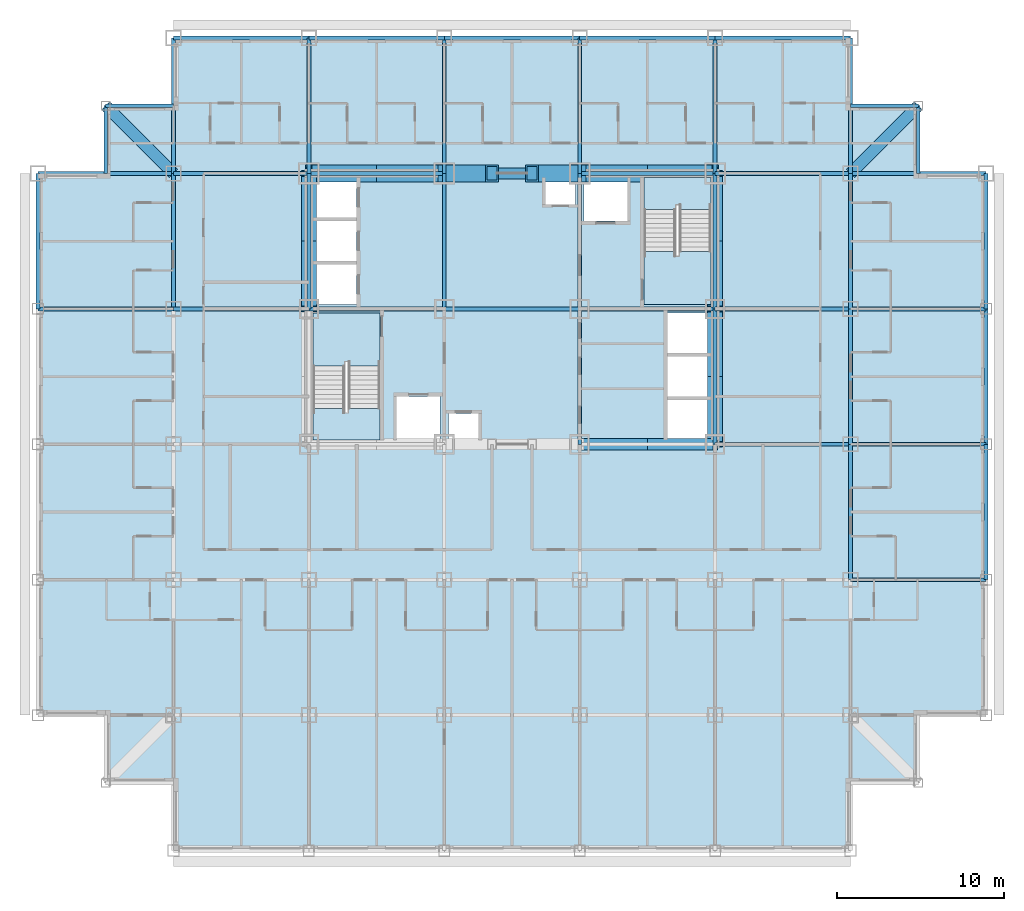
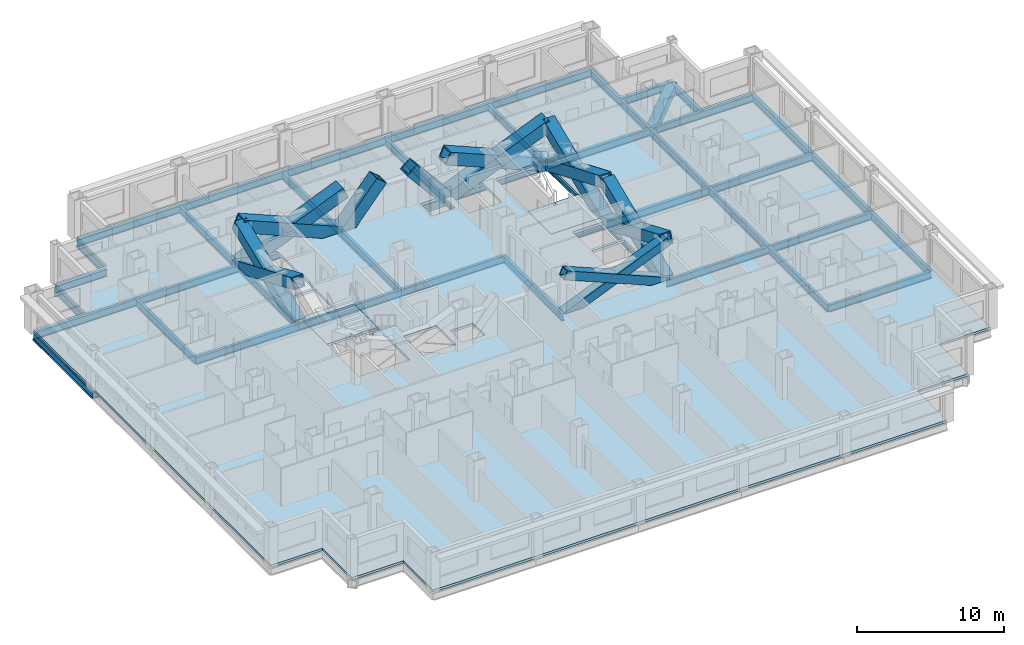
# One storey, part 2 of 12: 48 beams, 14 members, 5 slabs, 2 elements without a shape of their own.
"""IFC4 building model written with IfcOpenShell, lengths in metres."""

from ifc_helpers import new_model, si_unit, direction, frame, origin, origin_2d, place, context, subcontext, project, spatial, polyline, hollow_rectangle, i_section, outline, extrude, material, layer, layer_set, material_profile, profile_set, type_object, element, aggregate, save


model = new_model("IFC4")

# Units and contexts
model_context = context("Model", 3, precision=1e-05, world=origin(), true_north=direction((0.0, 1.0)))
body_context = subcontext(model_context, "Body", "Model", "MODEL_VIEW")
ifc_project = project(units=[si_unit("LENGTHUNIT", "METRE"), si_unit("AREAUNIT", "SQUARE_METRE"), si_unit("VOLUMEUNIT", "CUBIC_METRE"), si_unit("PLANEANGLEUNIT", "RADIAN"), si_unit("MASSUNIT", "GRAM", prefix="KILO")], contexts=[model_context])

# Site, building, storey
site_placement = place(None, origin())
site = spatial("IfcSite", under=ifc_project, at=site_placement, CompositionType="ELEMENT")
building_placement = place(site_placement, origin())
building = spatial("IfcBuilding", under=site, at=building_placement, Name="Kopane Lantern Tower", CompositionType="ELEMENT")
storey_placement = place(building_placement, frame((0.0, 0.0, 43.199951171875)))
storey = spatial("IfcBuildingStorey", under=building, at=storey_placement, Name="L09", CompositionType="ELEMENT", Elevation=43.199951171875)

# Members
ifc_material_1 = material(Name="Steel S355JR", Category="steel")
ifc_material_profile_1 = material_profile(ifc_material_1, hollow_rectangle(XDim=1.0, YDim=1.0, WallThickness=0.10009765625, at=origin_2d()), Name="BOX 1000x1000x100")
ifc_profile_set_1 = profile_set([ifc_material_profile_1], Name="Steel S355JR")
member_type_1 = type_object("IfcMemberType", Name="BRACE BOX 1000x1000x100", PredefinedType="BRACE", material=ifc_profile_set_1)
for number, where, z_axis, x_axis, name in (
    (1, (16.199951171875, 40.5, -0.2099609375), (0.922069000757, 0.0, 0.387025526088), (0.0, 1.0, 0.0), "Core brace L09"),
    (2, (24.300048828125, 40.5, -0.2099609375), (-0.922069000757, 0.0, 0.387025526088), (0.0, -1.0, 0.0), "Core brace L09"),
):
    element("IfcMember", number, at=place(storey_placement, frame(where, z_axis=z_axis, x_axis=x_axis)), inside=storey, type_object=member_type_1, Name=name, PredefinedType="BRACE", context=body_context, shape_type="SweptSolid", body=[
        extrude(hollow_rectangle(XDim=1.0, YDim=1.0, WallThickness=0.10009765625, at=origin_2d()), origin(), (0.0, 0.0, 1.0), 8.78466796875),
    ])
for number, where, z_axis, x_axis, name in (
    (3, (24.300048828125, 40.5, -0.2099609375), (0.642390257445, 0.0, 0.7663776857), (0.0, 1.0, 0.0), "Core brace L09"),
    (4, (32.39990234375, 40.5, -0.2099609375), (-0.642390257445, 0.0, 0.7663776857), (0.0, -1.0, 0.0), "Core brace L09"),
):
    element("IfcMember", number, at=place(storey_placement, frame(where, z_axis=z_axis, x_axis=x_axis)), inside=storey, type_object=member_type_1, Name=name, PredefinedType="BRACE", context=body_context, shape_type="SweptSolid", body=[
        extrude(hollow_rectangle(XDim=1.0, YDim=1.0, WallThickness=0.10009765625, at=origin_2d()), origin(), (0.0, 0.0, 1.0), 4.436279296875),
    ])
for number, where, z_axis, x_axis, name in (
    (5, (32.39990234375, 40.5, -0.2099609375), (0.922069000757, 0.0, 0.387025526088), (0.0, 1.0, 0.0), "Core brace L09"),
    (6, (40.5, 40.5, -0.2099609375), (-0.922069000757, 0.0, 0.387025526088), (0.0, -1.0, 0.0), "Core brace L09"),
):
    element("IfcMember", number, at=place(storey_placement, frame(where, z_axis=z_axis, x_axis=x_axis)), inside=storey, type_object=member_type_1, Name=name, PredefinedType="BRACE", context=body_context, shape_type="SweptSolid", body=[
        extrude(hollow_rectangle(XDim=1.0, YDim=1.0, WallThickness=0.10009765625, at=origin_2d()), origin(), (0.0, 0.0, 1.0), 8.78466796875),
    ])
ifc_material_2 = material(Name="Steel S355JR", Category="steel")
ifc_material_profile_2 = material_profile(ifc_material_2, hollow_rectangle(XDim=0.699951171875, YDim=0.699951171875, WallThickness=0.06005859375, at=origin_2d()), Name="BOX 700x700x60")
ifc_profile_set_2 = profile_set([ifc_material_profile_2], Name="Steel S355JR")
member_type_2 = type_object("IfcMemberType", Name="BRACE BOX 700x700x60", PredefinedType="BRACE", material=ifc_profile_set_2)
for number, where, z_axis, x_axis, name in (
    (7, (32.39990234375, 24.300048828125, -0.2099609375), (0.922069000757, 0.0, 0.387025526088), (0.0, 1.0, 0.0), "Core brace L09"),
    (8, (40.5, 24.300048828125, -0.2099609375), (-0.922069000757, 0.0, 0.387025526088), (0.0, -1.0, 0.0), "Core brace L09"),
):
    element("IfcMember", number, at=place(storey_placement, frame(where, z_axis=z_axis, x_axis=x_axis)), inside=storey, type_object=member_type_2, Name=name, PredefinedType="BRACE", context=body_context, shape_type="SweptSolid", body=[
        extrude(hollow_rectangle(XDim=0.699951171875, YDim=0.699951171875, WallThickness=0.06005859375, at=origin_2d()), origin(), (0.0, 0.0, 1.0), 8.78466796875),
    ])
ifc_material_3 = material(Name="Steel S355JR", Category="steel")
ifc_material_profile_3 = material_profile(ifc_material_3, hollow_rectangle(XDim=0.89990234375, YDim=0.89990234375, WallThickness=0.090087890625, at=origin_2d()), Name="BOX 900x900x90")
ifc_profile_set_3 = profile_set([ifc_material_profile_3], Name="Steel S355JR")
member_type_3 = type_object("IfcMemberType", Name="BRACE BOX 900x900x90", PredefinedType="BRACE", material=ifc_profile_set_3)
for number, where, z_axis, x_axis, name in (
    (9, (16.199951171875, 32.39990234375, -0.2099609375), (0.0, 0.922069000757, 0.387025526088), (-1.0, 0.0, 0.0), "Core brace L09"),
    (10, (16.199951171875, 40.5, -0.2099609375), (0.0, -0.922069000757, 0.387025526088), (1.0, 0.0, 0.0), "Core brace L09"),
):
    element("IfcMember", number, at=place(storey_placement, frame(where, z_axis=z_axis, x_axis=x_axis)), inside=storey, type_object=member_type_3, Name=name, PredefinedType="BRACE", context=body_context, shape_type="SweptSolid", body=[
        extrude(hollow_rectangle(XDim=0.89990234375, YDim=0.89990234375, WallThickness=0.090087890625, at=origin_2d()), origin(), (0.0, 0.0, 1.0), 8.78466796875),
    ])
for number, where, z_axis, x_axis, name in (
    (11, (40.5, 24.300048828125, -0.2099609375), (0.0, 0.922064837731, 0.38703544414), (-1.0, 0.0, 0.0), "Core brace L09"),
    (12, (40.5, 32.39990234375, -0.2099609375), (0.0, -0.922064837731, 0.38703544414), (1.0, 0.0, 0.0), "Core brace L09"),
):
    element("IfcMember", number, at=place(storey_placement, frame(where, z_axis=z_axis, x_axis=x_axis)), inside=storey, type_object=member_type_3, Name=name, PredefinedType="BRACE", context=body_context, shape_type="SweptSolid", body=[
        extrude(hollow_rectangle(XDim=0.89990234375, YDim=0.89990234375, WallThickness=0.090087890625, at=origin_2d()), origin(), (0.0, 0.0, 1.0), 8.784423828125),
    ])
for number, where, z_axis, x_axis, name in (
    (13, (40.5, 32.39990234375, -0.2099609375), (0.0, 0.922069000757, 0.387025526088), (-1.0, 0.0, 0.0), "Core brace L09"),
    (14, (40.5, 40.5, -0.2099609375), (0.0, -0.922069000757, 0.387025526088), (1.0, 0.0, 0.0), "Core brace L09"),
):
    element("IfcMember", number, at=place(storey_placement, frame(where, z_axis=z_axis, x_axis=x_axis)), inside=storey, type_object=member_type_3, Name=name, PredefinedType="BRACE", context=body_context, shape_type="SweptSolid", body=[
        extrude(hollow_rectangle(XDim=0.89990234375, YDim=0.89990234375, WallThickness=0.090087890625, at=origin_2d()), origin(), (0.0, 0.0, 1.0), 8.78466796875),
    ])

# Beams
ifc_material_4 = material(Name="Steel S355JR", Category="steel")
ifc_material_profile_4 = material_profile(ifc_material_4, i_section(OverallWidth=0.22900390625, OverallDepth=0.6123046875, WebThickness=0.011962890625, FlangeThickness=0.01953125, FilletRadius=0.0126953125, at=origin_2d()), Name="UB 610x229x125")
ifc_profile_set_4 = profile_set([ifc_material_profile_4], Name="Steel S355JR")
beam_type_1 = type_object("IfcBeamType", Name="CORE BEAM UB 610x229x125", PredefinedType="BEAM", material=ifc_profile_set_4)
for number, where, z_axis, x_axis, name in (
    (15, (16.199951171875, 32.39990234375, -0.51611328125), (1.0, 0.0, 0.0), (0.0, 1.0, 0.0), "Core Beam L09"),
    (16, (24.300048828125, 32.39990234375, -0.51611328125), (0.0, 1.0, 0.0), (-1.0, 0.0, 0.0), "Core Beam L09"),
):
    element("IfcBeam", number, at=place(storey_placement, frame(where, z_axis=z_axis, x_axis=x_axis)), inside=storey, type_object=beam_type_1, Name=name, PredefinedType="BEAM", context=body_context, shape_type="SweptSolid", body=[
        extrude(i_section(OverallWidth=0.22900390625, OverallDepth=0.6123046875, WebThickness=0.011962890625, FlangeThickness=0.01953125, FilletRadius=0.0126953125, at=origin_2d()), origin(), (0.0, 0.0, 1.0), 8.10009765625),
    ])
for number, where, z_axis, x_axis, name in (
    (17, (24.300048828125, 32.39990234375, -0.51611328125), (1.0, 0.0, 0.0), (0.0, 1.0, 0.0), "Core Beam L09"),
    (18, (32.39990234375, 24.300048828125, -0.51611328125), (0.0, 1.0, 0.0), (-1.0, 0.0, 0.0), "Core Beam L09"),
):
    element("IfcBeam", number, at=place(storey_placement, frame(where, z_axis=z_axis, x_axis=x_axis)), inside=storey, type_object=beam_type_1, Name=name, PredefinedType="BEAM", context=body_context, shape_type="SweptSolid", body=[
        extrude(i_section(OverallWidth=0.22900390625, OverallDepth=0.6123046875, WebThickness=0.011962890625, FlangeThickness=0.01953125, FilletRadius=0.0126953125, at=origin_2d()), origin(), (0.0, 0.0, 1.0), 8.099853515625),
    ])
for number, where, z_axis, x_axis, name in (
    (19, (32.39990234375, 32.39990234375, -0.51611328125), (0.0, 1.0, 0.0), (-1.0, 0.0, 0.0), "Core Beam L09"),
    (20, (32.39990234375, 32.39990234375, -0.51611328125), (1.0, 0.0, 0.0), (0.0, 1.0, 0.0), "Core Beam L09"),
):
    element("IfcBeam", number, at=place(storey_placement, frame(where, z_axis=z_axis, x_axis=x_axis)), inside=storey, type_object=beam_type_1, Name=name, PredefinedType="BEAM", context=body_context, shape_type="SweptSolid", body=[
        extrude(i_section(OverallWidth=0.22900390625, OverallDepth=0.6123046875, WebThickness=0.011962890625, FlangeThickness=0.01953125, FilletRadius=0.0126953125, at=origin_2d()), origin(), (0.0, 0.0, 1.0), 8.10009765625),
    ])
ifc_material_5 = material(Name="Steel S355JR", Category="steel")
ifc_material_profile_5 = material_profile(ifc_material_5, hollow_rectangle(XDim=0.699951171875, YDim=0.699951171875, WallThickness=0.06005859375, at=origin_2d()), Name="BOX 700x700x60")
ifc_profile_set_5 = profile_set([ifc_material_profile_5], Name="Steel S355JR")
beam_type_2 = type_object("IfcBeamType", Name="CORNER TIE BEAM BOX 700x700x60", PredefinedType="BEAM", material=ifc_profile_set_5)
for number, where, z_axis, x_axis, name in (
    (21, (4.050048828125, 44.550048828125, -0.56005859375), (0.707106781187, -0.707106781187, 0.0), (0.707106781187, 0.707106781187, 0.0), "Corner Tie Beam L09"),
    (22, (52.64990234375, 44.550048828125, -0.56005859375), (-0.707085467703, -0.707128094028, 0.0), (0.707128094028, -0.707085467703, 0.0), "Corner Tie Beam L09"),
):
    element("IfcBeam", number, at=place(storey_placement, frame(where, z_axis=z_axis, x_axis=x_axis)), inside=storey, type_object=beam_type_2, Name=name, PredefinedType="BEAM", context=body_context, shape_type="SweptSolid", body=[
        extrude(hollow_rectangle(XDim=0.699951171875, YDim=0.699951171875, WallThickness=0.06005859375, at=origin_2d()), origin(), (0.0, 0.0, 1.0), 5.7275390625),
    ])
ifc_material_6 = material(Name="Steel S355JR", Category="steel")
ifc_material_profile_6 = material_profile(ifc_material_6, i_section(OverallWidth=0.22900390625, OverallDepth=0.6123046875, WebThickness=0.011962890625, FlangeThickness=0.01953125, FilletRadius=0.0126953125, at=origin_2d()), Name="UB 610x229x125")
ifc_profile_set_6 = profile_set([ifc_material_profile_6], Name="Steel S355JR")
beam_type_3 = type_object("IfcBeamType", Name="EDGE BEAM UB 610x229x125", PredefinedType="BEAM", material=ifc_profile_set_6)
for number, where, z_axis, x_axis, name in (
    (23, (4.050048828125, 44.550048828125, -0.51611328125), (0.0, -1.0, 0.0), (1.0, 0.0, 0.0), "Edge Beam L09"),
    (24, (4.050048828125, 44.550048828125, -0.51611328125), (1.0, 0.0, 0.0), (0.0, 1.0, 0.0), "Edge Beam L09"),
):
    element("IfcBeam", number, at=place(storey_placement, frame(where, z_axis=z_axis, x_axis=x_axis)), inside=storey, type_object=beam_type_3, Name=name, PredefinedType="BEAM", context=body_context, shape_type="SweptSolid", body=[
        extrude(i_section(OverallWidth=0.22900390625, OverallDepth=0.6123046875, WebThickness=0.011962890625, FlangeThickness=0.01953125, FilletRadius=0.0126953125, at=origin_2d()), origin(), (0.0, 0.0, 1.0), 4.050048828125),
    ])
beam_1_placement = place(storey_placement, frame((52.64990234375, 44.550048828125, -0.51611328125), z_axis=(-1.0, 0.0, 0.0), x_axis=(0.0, -1.0, 0.0)))
element("IfcBeam", 25, at=beam_1_placement, inside=storey, type_object=beam_type_3, Name="Edge Beam L09", PredefinedType="BEAM", context=body_context, shape_type="SweptSolid", body=[
    extrude(i_section(OverallWidth=0.22900390625, OverallDepth=0.6123046875, WebThickness=0.011962890625, FlangeThickness=0.01953125, FilletRadius=0.0126953125, at=origin_2d()), origin(), (0.0, 0.0, 1.0), 4.0498046875),
])
beam_2_placement = place(storey_placement, frame((52.64990234375, 44.550048828125, -0.51611328125), z_axis=(0.0, -1.0, 0.0), x_axis=(1.0, 0.0, 0.0)))
element("IfcBeam", 26, at=beam_2_placement, inside=storey, type_object=beam_type_3, Name="Edge Beam L09", PredefinedType="BEAM", context=body_context, shape_type="SweptSolid", body=[
    extrude(i_section(OverallWidth=0.22900390625, OverallDepth=0.6123046875, WebThickness=0.011962890625, FlangeThickness=0.01953125, FilletRadius=0.0126953125, at=origin_2d()), origin(), (0.0, 0.0, 1.0), 4.050048828125),
])
ifc_material_7 = material(Name="Steel S355JR", Category="steel")
ifc_material_profile_7 = material_profile(ifc_material_7, i_section(OverallWidth=0.22900390625, OverallDepth=0.6123046875, WebThickness=0.011962890625, FlangeThickness=0.01953125, FilletRadius=0.0126953125, at=origin_2d()), Name="UB 610x229x125")
ifc_profile_set_7 = profile_set([ifc_material_profile_7], Name="Steel S355JR")
beam_type_4 = type_object("IfcBeamType", Name="GIRDER UB 610x229x125", PredefinedType="BEAM", material=ifc_profile_set_7)
for number, where, z_axis, x_axis, name in (
    (27, (0.0, 32.39990234375, -0.51611328125), (0.0, 1.0, 0.0), (-1.0, 0.0, 0.0), "Girder L09"),
    (28, (0.0, 32.39990234375, -0.51611328125), (1.0, 0.0, 0.0), (0.0, 1.0, 0.0), "Girder L09"),
    (29, (0.0, 40.5, -0.51611328125), (1.0, 0.0, 0.0), (0.0, 1.0, 0.0), "Girder L09"),
    (30, (8.10009765625, 32.39990234375, -0.51611328125), (0.0, 1.0, 0.0), (-1.0, 0.0, 0.0), "Girder L09"),
):
    element("IfcBeam", number, at=place(storey_placement, frame(where, z_axis=z_axis, x_axis=x_axis)), inside=storey, type_object=beam_type_4, Name=name, PredefinedType="BEAM", context=body_context, shape_type="SweptSolid", body=[
        extrude(i_section(OverallWidth=0.22900390625, OverallDepth=0.6123046875, WebThickness=0.011962890625, FlangeThickness=0.01953125, FilletRadius=0.0126953125, at=origin_2d()), origin(), (0.0, 0.0, 1.0), 8.10009765625),
    ])
beam_3_placement = place(storey_placement, frame((8.10009765625, 32.39990234375, -0.51611328125), z_axis=(1.0, 0.0, 0.0), x_axis=(0.0, 1.0, 0.0)))
element("IfcBeam", 31, at=beam_3_placement, inside=storey, type_object=beam_type_4, Name="Girder L09", PredefinedType="BEAM", context=body_context, shape_type="SweptSolid", body=[
    extrude(i_section(OverallWidth=0.22900390625, OverallDepth=0.6123046875, WebThickness=0.011962890625, FlangeThickness=0.01953125, FilletRadius=0.0126953125, at=origin_2d()), origin(), (0.0, 0.0, 1.0), 8.099853515625),
])
beam_4_placement = place(storey_placement, frame((8.10009765625, 40.5, -0.51611328125), z_axis=(0.0, 1.0, 0.0), x_axis=(-1.0, 0.0, 0.0)))
element("IfcBeam", 32, at=beam_4_placement, inside=storey, type_object=beam_type_4, Name="Girder L09", PredefinedType="BEAM", context=body_context, shape_type="SweptSolid", body=[
    extrude(i_section(OverallWidth=0.22900390625, OverallDepth=0.6123046875, WebThickness=0.011962890625, FlangeThickness=0.01953125, FilletRadius=0.0126953125, at=origin_2d()), origin(), (0.0, 0.0, 1.0), 8.10009765625),
])
for number, where, z_axis, x_axis, name in (
    (33, (8.10009765625, 40.5, -0.51611328125), (1.0, 0.0, 0.0), (0.0, 1.0, 0.0), "Girder L09"),
    (34, (8.10009765625, 48.60009765625, -0.51611328125), (1.0, 0.0, 0.0), (0.0, 1.0, 0.0), "Girder L09"),
):
    element("IfcBeam", number, at=place(storey_placement, frame(where, z_axis=z_axis, x_axis=x_axis)), inside=storey, type_object=beam_type_4, Name=name, PredefinedType="BEAM", context=body_context, shape_type="SweptSolid", body=[
        extrude(i_section(OverallWidth=0.22900390625, OverallDepth=0.6123046875, WebThickness=0.011962890625, FlangeThickness=0.01953125, FilletRadius=0.0126953125, at=origin_2d()), origin(), (0.0, 0.0, 1.0), 8.099853515625),
    ])
for number, where, z_axis, x_axis, name in (
    (35, (16.199951171875, 32.39990234375, -0.51611328125), (0.0, 1.0, 0.0), (-1.0, 0.0, 0.0), "Girder L09"),
    (36, (16.199951171875, 40.5, -0.51611328125), (0.0, 1.0, 0.0), (-1.0, 0.0, 0.0), "Girder L09"),
    (37, (16.199951171875, 40.5, -0.51611328125), (1.0, 0.0, 0.0), (0.0, 1.0, 0.0), "Girder L09"),
    (38, (16.199951171875, 48.60009765625, -0.51611328125), (1.0, 0.0, 0.0), (0.0, 1.0, 0.0), "Girder L09"),
    (39, (24.300048828125, 40.5, -0.51611328125), (0.0, 1.0, 0.0), (-1.0, 0.0, 0.0), "Girder L09"),
):
    element("IfcBeam", number, at=place(storey_placement, frame(where, z_axis=z_axis, x_axis=x_axis)), inside=storey, type_object=beam_type_4, Name=name, PredefinedType="BEAM", context=body_context, shape_type="SweptSolid", body=[
        extrude(i_section(OverallWidth=0.22900390625, OverallDepth=0.6123046875, WebThickness=0.011962890625, FlangeThickness=0.01953125, FilletRadius=0.0126953125, at=origin_2d()), origin(), (0.0, 0.0, 1.0), 8.10009765625),
    ])
beam_5_placement = place(storey_placement, frame((24.300048828125, 48.60009765625, -0.51611328125), z_axis=(1.0, 0.0, 0.0), x_axis=(0.0, 1.0, 0.0)))
element("IfcBeam", 40, at=beam_5_placement, inside=storey, type_object=beam_type_4, Name="Girder L09", PredefinedType="BEAM", context=body_context, shape_type="SweptSolid", body=[
    extrude(i_section(OverallWidth=0.22900390625, OverallDepth=0.6123046875, WebThickness=0.011962890625, FlangeThickness=0.01953125, FilletRadius=0.0126953125, at=origin_2d()), origin(), (0.0, 0.0, 1.0), 8.099853515625),
])
for number, where, z_axis, x_axis, name in (
    (41, (32.39990234375, 40.5, -0.51611328125), (0.0, 1.0, 0.0), (-1.0, 0.0, 0.0), "Girder L09"),
    (42, (32.39990234375, 40.5, -0.51611328125), (1.0, 0.0, 0.0), (0.0, 1.0, 0.0), "Girder L09"),
    (43, (32.39990234375, 48.60009765625, -0.51611328125), (1.0, 0.0, 0.0), (0.0, 1.0, 0.0), "Girder L09"),
):
    element("IfcBeam", number, at=place(storey_placement, frame(where, z_axis=z_axis, x_axis=x_axis)), inside=storey, type_object=beam_type_4, Name=name, PredefinedType="BEAM", context=body_context, shape_type="SweptSolid", body=[
        extrude(i_section(OverallWidth=0.22900390625, OverallDepth=0.6123046875, WebThickness=0.011962890625, FlangeThickness=0.01953125, FilletRadius=0.0126953125, at=origin_2d()), origin(), (0.0, 0.0, 1.0), 8.10009765625),
    ])
beam_6_placement = place(storey_placement, frame((40.5, 24.300048828125, -0.51611328125), z_axis=(0.0, 1.0, 0.0), x_axis=(-1.0, 0.0, 0.0)))
element("IfcBeam", 44, at=beam_6_placement, inside=storey, type_object=beam_type_4, Name="Girder L09", PredefinedType="BEAM", context=body_context, shape_type="SweptSolid", body=[
    extrude(i_section(OverallWidth=0.22900390625, OverallDepth=0.6123046875, WebThickness=0.011962890625, FlangeThickness=0.01953125, FilletRadius=0.0126953125, at=origin_2d()), origin(), (0.0, 0.0, 1.0), 8.099853515625),
])
for number, where, z_axis, x_axis, name in (
    (45, (40.5, 24.300048828125, -0.51611328125), (1.0, 0.0, 0.0), (0.0, 1.0, 0.0), "Girder L09"),
    (46, (40.5, 32.39990234375, -0.51611328125), (0.0, 1.0, 0.0), (-1.0, 0.0, 0.0), "Girder L09"),
    (47, (40.5, 32.39990234375, -0.51611328125), (1.0, 0.0, 0.0), (0.0, 1.0, 0.0), "Girder L09"),
    (48, (40.5, 40.5, -0.51611328125), (0.0, 1.0, 0.0), (-1.0, 0.0, 0.0), "Girder L09"),
    (49, (40.5, 40.5, -0.51611328125), (1.0, 0.0, 0.0), (0.0, 1.0, 0.0), "Girder L09"),
    (50, (40.5, 48.60009765625, -0.51611328125), (1.0, 0.0, 0.0), (0.0, 1.0, 0.0), "Girder L09"),
    (51, (48.60009765625, 16.199951171875, -0.51611328125), (0.0, 1.0, 0.0), (-1.0, 0.0, 0.0), "Girder L09"),
):
    element("IfcBeam", number, at=place(storey_placement, frame(where, z_axis=z_axis, x_axis=x_axis)), inside=storey, type_object=beam_type_4, Name=name, PredefinedType="BEAM", context=body_context, shape_type="SweptSolid", body=[
        extrude(i_section(OverallWidth=0.22900390625, OverallDepth=0.6123046875, WebThickness=0.011962890625, FlangeThickness=0.01953125, FilletRadius=0.0126953125, at=origin_2d()), origin(), (0.0, 0.0, 1.0), 8.10009765625),
    ])
for number, where, z_axis, x_axis, name in (
    (52, (48.60009765625, 16.199951171875, -0.51611328125), (1.0, 0.0, 0.0), (0.0, 1.0, 0.0), "Girder L09"),
    (53, (48.60009765625, 24.300048828125, -0.51611328125), (0.0, 1.0, 0.0), (-1.0, 0.0, 0.0), "Girder L09"),
    (54, (48.60009765625, 24.300048828125, -0.51611328125), (1.0, 0.0, 0.0), (0.0, 1.0, 0.0), "Girder L09"),
):
    element("IfcBeam", number, at=place(storey_placement, frame(where, z_axis=z_axis, x_axis=x_axis)), inside=storey, type_object=beam_type_4, Name=name, PredefinedType="BEAM", context=body_context, shape_type="SweptSolid", body=[
        extrude(i_section(OverallWidth=0.22900390625, OverallDepth=0.6123046875, WebThickness=0.011962890625, FlangeThickness=0.01953125, FilletRadius=0.0126953125, at=origin_2d()), origin(), (0.0, 0.0, 1.0), 8.099853515625),
    ])
beam_7_placement = place(storey_placement, frame((48.60009765625, 32.39990234375, -0.51611328125), z_axis=(0.0, 1.0, 0.0), x_axis=(-1.0, 0.0, 0.0)))
element("IfcBeam", 55, at=beam_7_placement, inside=storey, type_object=beam_type_4, Name="Girder L09", PredefinedType="BEAM", context=body_context, shape_type="SweptSolid", body=[
    extrude(i_section(OverallWidth=0.22900390625, OverallDepth=0.6123046875, WebThickness=0.011962890625, FlangeThickness=0.01953125, FilletRadius=0.0126953125, at=origin_2d()), origin(), (0.0, 0.0, 1.0), 8.10009765625),
])
beam_8_placement = place(storey_placement, frame((48.60009765625, 32.39990234375, -0.51611328125), z_axis=(1.0, 0.0, 0.0), x_axis=(0.0, 1.0, 0.0)))
element("IfcBeam", 56, at=beam_8_placement, inside=storey, type_object=beam_type_4, Name="Girder L09", PredefinedType="BEAM", context=body_context, shape_type="SweptSolid", body=[
    extrude(i_section(OverallWidth=0.22900390625, OverallDepth=0.6123046875, WebThickness=0.011962890625, FlangeThickness=0.01953125, FilletRadius=0.0126953125, at=origin_2d()), origin(), (0.0, 0.0, 1.0), 8.099853515625),
])
beam_9_placement = place(storey_placement, frame((48.60009765625, 40.5, -0.51611328125), z_axis=(0.0, 1.0, 0.0), x_axis=(-1.0, 0.0, 0.0)))
element("IfcBeam", 57, at=beam_9_placement, inside=storey, type_object=beam_type_4, Name="Girder L09", PredefinedType="BEAM", context=body_context, shape_type="SweptSolid", body=[
    extrude(i_section(OverallWidth=0.22900390625, OverallDepth=0.6123046875, WebThickness=0.011962890625, FlangeThickness=0.01953125, FilletRadius=0.0126953125, at=origin_2d()), origin(), (0.0, 0.0, 1.0), 8.10009765625),
])
beam_10_placement = place(storey_placement, frame((48.60009765625, 40.5, -0.51611328125), z_axis=(1.0, 0.0, 0.0), x_axis=(0.0, 1.0, 0.0)))
element("IfcBeam", 58, at=beam_10_placement, inside=storey, type_object=beam_type_4, Name="Girder L09", PredefinedType="BEAM", context=body_context, shape_type="SweptSolid", body=[
    extrude(i_section(OverallWidth=0.22900390625, OverallDepth=0.6123046875, WebThickness=0.011962890625, FlangeThickness=0.01953125, FilletRadius=0.0126953125, at=origin_2d()), origin(), (0.0, 0.0, 1.0), 8.099853515625),
])
beam_11_placement = place(storey_placement, frame((56.699951171875, 16.199951171875, -0.51611328125), z_axis=(0.0, 1.0, 0.0), x_axis=(-1.0, 0.0, 0.0)))
element("IfcBeam", 59, at=beam_11_placement, inside=storey, type_object=beam_type_4, Name="Girder L09", PredefinedType="BEAM", context=body_context, shape_type="SweptSolid", body=[
    extrude(i_section(OverallWidth=0.22900390625, OverallDepth=0.6123046875, WebThickness=0.011962890625, FlangeThickness=0.01953125, FilletRadius=0.0126953125, at=origin_2d()), origin(), (0.0, 0.0, 1.0), 8.10009765625),
])
beam_12_placement = place(storey_placement, frame((56.699951171875, 24.300048828125, -0.51611328125), z_axis=(0.0, 1.0, 0.0), x_axis=(-1.0, 0.0, 0.0)))
element("IfcBeam", 60, at=beam_12_placement, inside=storey, type_object=beam_type_4, Name="Girder L09", PredefinedType="BEAM", context=body_context, shape_type="SweptSolid", body=[
    extrude(i_section(OverallWidth=0.22900390625, OverallDepth=0.6123046875, WebThickness=0.011962890625, FlangeThickness=0.01953125, FilletRadius=0.0126953125, at=origin_2d()), origin(), (0.0, 0.0, 1.0), 8.099853515625),
])
beam_13_placement = place(storey_placement, frame((56.699951171875, 32.39990234375, -0.51611328125), z_axis=(0.0, 1.0, 0.0), x_axis=(-1.0, 0.0, 0.0)))
element("IfcBeam", 61, at=beam_13_placement, inside=storey, type_object=beam_type_4, Name="Girder L09", PredefinedType="BEAM", context=body_context, shape_type="SweptSolid", body=[
    extrude(i_section(OverallWidth=0.22900390625, OverallDepth=0.6123046875, WebThickness=0.011962890625, FlangeThickness=0.01953125, FilletRadius=0.0126953125, at=origin_2d()), origin(), (0.0, 0.0, 1.0), 8.10009765625),
])
ifc_material_8 = material(Name="Steel S355JR", Category="steel")
ifc_material_profile_8 = material_profile(ifc_material_8, hollow_rectangle(XDim=0.64990234375, YDim=0.64990234375, WallThickness=0.070068359375, at=origin_2d()), Name="BOX 650x650x70")
ifc_profile_set_8 = profile_set([ifc_material_profile_8], Name="Steel S355JR")
beam_type_5 = type_object("IfcBeamType", Name="LINK BEAM BOX 650x650x70", PredefinedType="BEAM", material=ifc_profile_set_8)
beam_14_placement = place(storey_placement, frame((24.300048828125, 40.5, -0.534912109375), z_axis=(1.0, 0.0, 0.0), x_axis=(0.0, 1.0, 0.0)))
element("IfcBeam", 62, at=beam_14_placement, inside=storey, type_object=beam_type_5, Name="Link Beam L09", PredefinedType="BEAM", context=body_context, shape_type="SweptSolid", body=[
    extrude(hollow_rectangle(XDim=0.64990234375, YDim=0.64990234375, WallThickness=0.070068359375, at=origin_2d()), origin(), (0.0, 0.0, 1.0), 8.099853515625),
])

# Slab
ifc_material_9 = material(Name="Concrete C40/50", Category="concrete")
ifc_layer_1 = layer(ifc_material_9, 0.2099609375)
ifc_layer_set_1 = layer_set([ifc_layer_1], Name="SLAB 210 COMPOSITE")
slab_type_1 = type_object("IfcSlabType", Name="SLAB 210 COMPOSITE", PredefinedType="FLOOR", material=ifc_layer_set_1)
slab_1_placement = place(storey_placement, frame((0.0, 0.0, -0.2099609375)))
element("IfcSlab", 63, at=slab_1_placement, inside=storey, type_object=slab_type_1, Name="Floor slab L09", PredefinedType="FLOOR", context=body_context, shape_type="SweptSolid", body=[
    extrude(outline(polyline([(8.10009765625, 0.0), (48.60009765625, 0.0), (48.60009765625, 4.050048828125), (52.64990234375, 4.050048828125), (52.64990234375, 8.10009765625), (56.699951171875, 8.10009765625), (56.699951171875, 40.5), (52.64990234375, 40.5), (52.64990234375, 44.550048828125), (48.60009765625, 44.550048828125), (48.60009765625, 48.60009765625), (8.10009765625, 48.60009765625), (8.10009765625, 44.550048828125), (4.050048828125, 44.550048828125), (4.050048828125, 40.5), (0.0, 40.5), (0.0, 8.10009765625), (4.050048828125, 8.10009765625), (4.050048828125, 4.050048828125), (8.10009765625, 4.050048828125), (8.10009765625, 0.0)]), holes=[polyline([(16.449951171875, 24.550048828125), (20.449951171875, 24.550048828125), (20.449951171875, 32.14990234375), (16.449951171875, 32.14990234375), (16.449951171875, 24.550048828125)]), polyline([(36.25, 32.64990234375), (40.25, 32.64990234375), (40.25, 40.25), (36.25, 40.25), (36.25, 32.64990234375)]), polyline([(16.449951171875, 32.64990234375), (19.050048828125, 32.64990234375), (19.050048828125, 35.050048828125), (16.449951171875, 35.050048828125), (16.449951171875, 32.64990234375)]), polyline([(16.449951171875, 35.25), (19.050048828125, 35.25), (19.050048828125, 37.64990234375), (16.449951171875, 37.64990234375), (16.449951171875, 35.25)]), polyline([(16.449951171875, 37.85009765625), (19.050048828125, 37.85009765625), (19.050048828125, 40.25), (16.449951171875, 40.25), (16.449951171875, 37.85009765625)]), polyline([(37.64990234375, 24.550048828125), (40.25, 24.550048828125), (40.25, 26.949951171875), (37.64990234375, 26.949951171875), (37.64990234375, 24.550048828125)]), polyline([(37.64990234375, 27.14990234375), (40.25, 27.14990234375), (40.25, 29.550048828125), (37.64990234375, 29.550048828125), (37.64990234375, 27.14990234375)]), polyline([(37.64990234375, 29.75), (40.25, 29.75), (40.25, 32.14990234375), (37.64990234375, 32.14990234375), (37.64990234375, 29.75)]), polyline([(21.449951171875, 24.550048828125), (24.050048828125, 24.550048828125), (24.050048828125, 27.14990234375), (21.449951171875, 27.14990234375), (21.449951171875, 24.550048828125)]), polyline([(32.64990234375, 37.64990234375), (35.25, 37.64990234375), (35.25, 40.25), (32.64990234375, 40.25), (32.64990234375, 37.64990234375)]), polyline([(24.550048828125, 24.550048828125), (26.35009765625, 24.550048828125), (26.35009765625, 26.14990234375), (24.550048828125, 26.14990234375), (24.550048828125, 24.550048828125)]), polyline([(30.35009765625, 38.64990234375), (32.14990234375, 38.64990234375), (32.14990234375, 40.25), (30.35009765625, 40.25), (30.35009765625, 38.64990234375)])]), origin(), (0.0, 0.0, 1.0), 0.2099609375),
])

# Stair, slabs
ifc_material_10 = material(Name="Steel S355JR", Category="steel")
stair_type = type_object("IfcStairType", Name="EXIT STAIR 1900 HALF TURN", PredefinedType="HALF_TURN_STAIR", material=ifc_material_10)
stair_1_placement = place(storey_placement, origin())
stair_1 = element("IfcStair", 64, at=stair_1_placement, inside=storey, type_object=stair_type, Name="Exit stair ST1 L09", PredefinedType="HALF_TURN_STAIR")
ifc_material_11 = material(Name="Concrete C40/50", Category="concrete")
ifc_layer_2 = layer(ifc_material_11, 0.199951171875)
ifc_layer_set_2 = layer_set([ifc_layer_2], Name="STAIR LANDING 200")
slab_type_2 = type_object("IfcSlabType", Name="STAIR LANDING 200", PredefinedType="LANDING", material=ifc_layer_set_2)
slab_2_placement = place(storey_placement, frame((0.0, 0.0, -0.199951171875)))
slab_2 = element("IfcSlab", 65, at=slab_2_placement, type_object=slab_type_2, Name="ST1 landing 1", PredefinedType="LANDING", context=body_context, shape_type="SweptSolid", body=[
    extrude(outline(polyline([(18.35009765625, 29.25), (18.550048828125, 29.25), (18.550048828125, 28.969970703125), (20.449951171875, 28.969970703125), (20.449951171875, 32.14990234375), (16.449951171875, 32.14990234375), (16.449951171875, 28.969970703125), (18.35009765625, 28.969970703125), (18.35009765625, 29.25)])), origin(), (0.0, 0.0, 1.0), 0.199951171875),
])
slab_3_placement = place(storey_placement, frame((0.0, 0.0, 1.5)))
slab_3 = element("IfcSlab", 66, at=slab_3_placement, type_object=slab_type_2, Name="ST1 landing 2", PredefinedType="LANDING", context=body_context, shape_type="SweptSolid", body=[
    extrude(outline(polyline([(20.449951171875, 26.449951171875), (18.550048828125, 26.449951171875), (18.550048828125, 26.169921875), (18.35009765625, 26.169921875), (18.35009765625, 26.449951171875), (16.449951171875, 26.449951171875), (16.449951171875, 24.550048828125), (20.449951171875, 24.550048828125), (20.449951171875, 26.449951171875)])), origin(), (0.0, 0.0, 1.0), 0.199951171875),
])
aggregate(stair_1, [slab_2, slab_3])

stair_2_placement = place(storey_placement, origin())
stair_2 = element("IfcStair", 67, at=stair_2_placement, inside=storey, type_object=stair_type, Name="Exit stair ST2 L09", PredefinedType="HALF_TURN_STAIR")
slab_4_placement = place(storey_placement, frame((0.0, 0.0, -0.199951171875)))
slab_4 = element("IfcSlab", 68, at=slab_4_placement, type_object=slab_type_2, Name="ST2 landing 1", PredefinedType="LANDING", context=body_context, shape_type="SweptSolid", body=[
    extrude(outline(polyline([(40.25, 35.830078125), (38.35009765625, 35.830078125), (38.35009765625, 35.550048828125), (38.14990234375, 35.550048828125), (38.14990234375, 35.830078125), (36.25, 35.830078125), (36.25, 32.64990234375), (40.25, 32.64990234375), (40.25, 35.830078125)])), origin(), (0.0, 0.0, 1.0), 0.199951171875),
])
slab_5_placement = place(storey_placement, frame((0.0, 0.0, 1.5)))
slab_5 = element("IfcSlab", 69, at=slab_5_placement, type_object=slab_type_2, Name="ST2 landing 2", PredefinedType="LANDING", context=body_context, shape_type="SweptSolid", body=[
    extrude(outline(polyline([(38.14990234375, 38.6298828125), (38.35009765625, 38.6298828125), (38.35009765625, 38.35009765625), (40.25, 38.35009765625), (40.25, 40.25), (36.25, 40.25), (36.25, 38.35009765625), (38.14990234375, 38.35009765625), (38.14990234375, 38.6298828125)])), origin(), (0.0, 0.0, 1.0), 0.199951171875),
])
aggregate(stair_2, [slab_4, slab_5])

save(model, "model.ifc")
